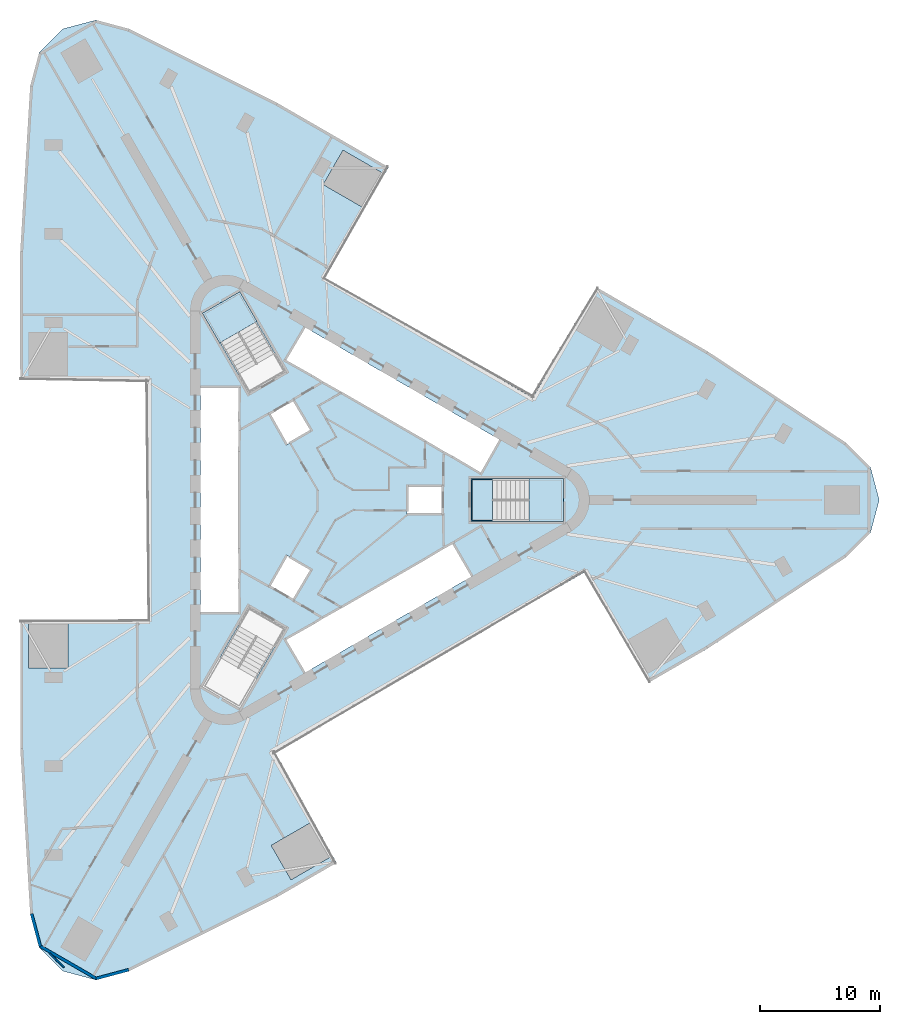
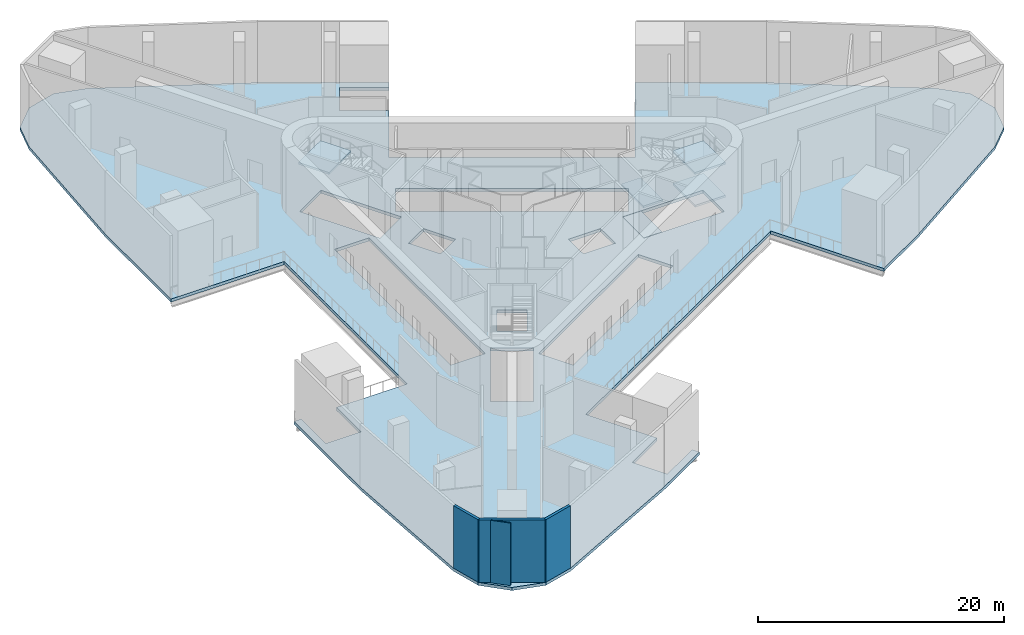
# One storey, part 2 of 11: 6 slabs, 4 walls, 2 elements without a shape of their own.
"""IFC4 building model written with IfcOpenShell, lengths in metres."""

from ifc_helpers import new_model, si_unit, direction, frame, frame_2d, origin, place, context, subcontext, project, spatial, polyline, rectangle, outline, extrude, material, layer, layer_set, type_object, element, aggregate, save


model = new_model("IFC4")

# Units and contexts
model_context = context("Model", 3, precision=1e-05, world=origin(), true_north=direction((0.0, 1.0)))
body_context = subcontext(model_context, "Body", "Model", "MODEL_VIEW")
ifc_project = project(units=[si_unit("LENGTHUNIT", "METRE"), si_unit("AREAUNIT", "SQUARE_METRE"), si_unit("VOLUMEUNIT", "CUBIC_METRE"), si_unit("PLANEANGLEUNIT", "RADIAN"), si_unit("MASSUNIT", "GRAM", prefix="KILO")], contexts=[model_context])

# Site, building, storey
site_placement = place(None, origin())
site = spatial("IfcSite", under=ifc_project, at=site_placement, CompositionType="ELEMENT")
building_placement = place(site_placement, origin())
building = spatial("IfcBuilding", under=site, at=building_placement, Name="Tanit Gate Tower", CompositionType="ELEMENT")
storey_placement = place(building_placement, frame((0.0, 0.0, 9.0)))
storey = spatial("IfcBuildingStorey", under=building, at=storey_placement, Name="L01", CompositionType="ELEMENT", Elevation=9.0)

# Stair, slabs
ifc_material_1 = material(Name="Concrete C40/50", Category="concrete")
stair_type = type_object("IfcStairType", Name="INT-STAIR-EXIT", PredefinedType="HALF_TURN_STAIR", material=ifc_material_1)
stair_1_placement = place(storey_placement, origin())
stair_1 = element("IfcStair", 1, at=stair_1_placement, inside=storey, type_object=stair_type, Name="L01 STAIR S1", PredefinedType="HALF_TURN_STAIR")
ifc_material_2 = material(Name="Concrete C40/50", Category="concrete")
ifc_layer_1 = layer(ifc_material_2, 0.199951171875)
ifc_layer_set_1 = layer_set([ifc_layer_1], Name="INT-STAIR-LANDING")
slab_type_1 = type_object("IfcSlabType", Name="INT-STAIR-LANDING", PredefinedType="LANDING", material=ifc_layer_set_1)
slab_1_placement = place(storey_placement, frame((0.0, 0.0, 1.425048828125)))
slab_1 = element("IfcSlab", 2, at=slab_1_placement, type_object=slab_type_1, Name="S1 landing 1", PredefinedType="LANDING", context=body_context, shape_type="SweptSolid", body=[
    extrude(outline(polyline([(16.135986328125, -1.800048828125), (19.0, -1.800048828125), (19.0, 1.800048828125), (16.135986328125, 1.800048828125), (16.135986328125, -1.800048828125)])), origin(), (0.0, 0.0, 1.0), 0.199951171875),
])
slab_2_placement = place(storey_placement, frame((0.0, 0.0, 3.050048828125)))
slab_2 = element("IfcSlab", 3, at=slab_2_placement, type_object=slab_type_1, Name="S1 landing 2", PredefinedType="LANDING", context=body_context, shape_type="SweptSolid", body=[
    extrude(outline(polyline([(11.300048828125, -1.800048828125), (13.10498046875, -1.800048828125), (13.10498046875, 1.800048828125), (11.300048828125, 1.800048828125), (11.300048828125, -1.800048828125)])), origin(), (0.0, 0.0, 1.0), 0.199951171875),
])
slab_3_placement = place(storey_placement, frame((0.0, 0.0, 4.675048828125)))
slab_3 = element("IfcSlab", 4, at=slab_3_placement, type_object=slab_type_1, Name="S1 landing 3", PredefinedType="LANDING", context=body_context, shape_type="SweptSolid", body=[
    extrude(outline(polyline([(16.135986328125, -1.800048828125), (19.0, -1.800048828125), (19.0, 1.800048828125), (16.135986328125, 1.800048828125), (16.135986328125, -1.800048828125)])), origin(), (0.0, 0.0, 1.0), 0.199951171875),
])
aggregate(stair_1, [slab_1, slab_2, slab_3])

# Slab
slab_4_placement = place(storey_placement, frame((0.0, 0.0, -0.199951171875)))
element("IfcSlab", 5, at=slab_4_placement, inside=storey, type_object=slab_type_1, Name="S1 floor landing", PredefinedType="LANDING", context=body_context, shape_type="SweptSolid", body=[
    extrude(outline(polyline([(11.3798828125, -1.719970703125), (13.10498046875, -1.719970703125), (13.10498046875, 1.719970703125), (11.3798828125, 1.719970703125), (11.3798828125, -1.719970703125)])), origin(), (0.0, 0.0, 1.0), 0.199951171875),
])

# Stair, slab
stair_2_placement = place(storey_placement, origin())
stair_2 = element("IfcStair", 6, at=stair_2_placement, inside=storey, type_object=stair_type, Name="L01 STAIR S2", PredefinedType="HALF_TURN_STAIR")
slab_5_placement = place(storey_placement, frame((0.0, 0.0, 4.675048828125)))
slab_5 = element("IfcSlab", 7, at=slab_5_placement, type_object=slab_type_1, Name="S2 landing 3", PredefinedType="LANDING", context=body_context, shape_type="SweptSolid", body=[
    extrude(outline(polyline([(-6.5078125, 14.871826171875), (-7.941162109375, 17.3544921875), (-11.058837890625, 15.554443359375), (-9.62548828125, 13.07177734375), (-6.5078125, 14.871826171875)])), origin(), (0.0, 0.0, 1.0), 0.199951171875),
])
aggregate(stair_2, [slab_5])

# Slab
ifc_material_3 = material(Name="Concrete C35/45", Category="concrete")
ifc_layer_2 = layer(ifc_material_3, 0.300048828125)
ifc_layer_set_2 = layer_set([ifc_layer_2], Name="PODIUM FLOOR SLAB 300 C35/45")
slab_type_2 = type_object("IfcSlabType", Name="PODIUM FLOOR SLAB 300 C35/45", PredefinedType="FLOOR", material=ifc_layer_set_2)
slab_6_placement = place(storey_placement, frame((0.0, 0.0, -0.300048828125)))
element("IfcSlab", 8, at=slab_6_placement, inside=storey, type_object=slab_type_2, Name="FLOOR SLAB L01", PredefinedType="FLOOR", context=body_context, shape_type="SweptSolid", body=[
    extrude(outline(polyline([(42.5634765625, 4.75927734375), (44.574951171875, 2.747802734375), (45.311279296875, 0.0), (44.574951171875, -2.747802734375), (42.5634765625, -4.75927734375), (31.030517578125, -12.368896484375), (26.10400390625, -15.213623046875), (20.790283203125, -6.010009765625), (-5.1904296875, -21.010009765625), (-1.86376953125, -26.77197265625), (-5.327880859375, -28.77197265625), (-3.677734375, -31.6298828125), (-0.213623046875, -29.6298828125), (0.124267578125, -30.21533203125), (-4.80224609375, -33.06005859375), (-17.16015625, -39.24072265625), (-19.907958984375, -39.97705078125), (-22.655517578125, -39.24072265625), (-24.6669921875, -37.229248046875), (-25.4033203125, -34.4814453125), (-26.22705078125, -20.68896484375), (-26.227783203125, -10.0), (-25.553466796875, -10.0), (-25.553466796875, -14.0), (-22.25341796875, -14.0), (-22.25341796875, -10.0), (-15.60009765625, -10.0), (-15.60009765625, 10.0), (-26.22900390625, 10.0), (-26.229736328125, 20.68896484375), (-25.4033203125, 34.4814453125), (-24.6669921875, 37.229248046875), (-22.655517578125, 39.24072265625), (-19.907958984375, 39.97705078125), (-17.16015625, 39.24072265625), (-4.8037109375, 33.0576171875), (4.45361328125, 27.7138671875), (4.116455078125, 27.1298828125), (0.65234375, 29.1298828125), (-0.99755859375, 26.27197265625), (2.466552734375, 24.27197265625), (-0.8603515625, 18.510009765625), (16.460205078125, 8.510009765625), (21.77490234375, 17.715087890625), (31.031982421875, 12.371337890625), (42.5634765625, 4.75927734375)]), holes=[polyline([(18.929931640625, 1.72998046875), (18.929931640625, -1.72998046875), (11.3701171875, -1.72998046875), (11.3701171875, 1.72998046875), (18.929931640625, 1.72998046875)]), polyline([(-4.208984375, 11.60986328125), (-2.583984375, 14.424560546875), (13.783935546875, 4.974609375), (12.158935546875, 2.159912109375), (-4.208984375, 11.60986328125)]), polyline([(-4.208984375, -11.60986328125), (9.82080078125, -3.510009765625), (11.44580078125, -6.324462890625), (-2.583984375, -14.424560546875), (-4.208984375, -11.60986328125)]), polyline([(9.0, 1.199951171875), (9.0, -1.199951171875), (6.0, -1.199951171875), (6.0, 1.199951171875), (9.0, 1.199951171875)]), polyline([(-5.539306640625, 7.194091796875), (-3.460693359375, 8.394287109375), (-1.960693359375, 5.796142578125), (-4.039306640625, 4.59619140625), (-5.539306640625, 7.194091796875)]), polyline([(-3.460693359375, -8.394287109375), (-5.539306640625, -7.194091796875), (-4.039306640625, -4.59619140625), (-1.960693359375, -5.796142578125), (-3.460693359375, -8.394287109375)]), polyline([(-7.18310546875, 8.981689453125), (-10.963134765625, 15.52880859375), (-7.966796875, 17.2587890625), (-4.186767578125, 10.711669921875), (-7.18310546875, 8.981689453125)]), polyline([(-4.186767578125, -10.711669921875), (-7.966796875, -17.2587890625), (-10.963134765625, -15.52880859375), (-7.18310546875, -8.981689453125), (-4.186767578125, -10.711669921875)]), polyline([(-11.199951171875, -9.449951171875), (-11.199951171875, 9.449951171875), (-7.949951171875, 9.449951171875), (-7.949951171875, -9.449951171875), (-11.199951171875, -9.449951171875)])]), origin(), (0.0, 0.0, 1.0), 0.300048828125),
])

# Walls
ifc_material_4 = material(Name="Concrete C30/37 with bronze anodised aluminium cladding", Category="concrete")
ifc_layer_3 = layer(ifc_material_4, 0.239990234375)
ifc_layer_set_3 = layer_set([ifc_layer_3], Name="Facade wall bronze clad 240")
wall_type_1 = type_object("IfcWallType", Name="Facade wall bronze clad 240", PredefinedType="SOLIDWALL", material=ifc_layer_set_3)
wall_1_placement = place(storey_placement, frame((-25.284423828125, -34.462158203125, 0.0), z_axis=(0.0, 0.0, 1.0), x_axis=(0.258850842196, -0.965917305723, 0.0)))
element("IfcWall", 9, at=wall_1_placement, inside=storey, type_object=wall_type_1, Name="Bronze-clad facade wall L01 SW.arc1", PredefinedType="SOLIDWALL", context=body_context, shape_type="SweptSolid", body=[
    extrude(rectangle(XDim=2.80029296875, YDim=0.239990234375, at=frame_2d((1.400146484375, 0.0))), origin(), (0.0, 0.0, 1.0), 6.199951171875),
])
wall_2_placement = place(storey_placement, frame((-24.5595703125, -37.1669921875, 0.0), z_axis=(0.0, 0.0, 1.0), x_axis=(0.866010734295, -0.500025407441, 0.0)))
element("IfcWall", 10, at=wall_2_placement, inside=storey, type_object=wall_type_1, Name="Bronze-clad facade wall L01 SW.arc2", PredefinedType="SOLIDWALL", context=body_context, shape_type="SweptSolid", body=[
    extrude(rectangle(XDim=5.371337890625, YDim=0.239990234375, at=frame_2d((2.685546875, 0.0))), origin(), (0.0, 0.0, 1.0), 6.199951171875),
])
wall_3_placement = place(storey_placement, frame((-19.907958984375, -39.852783203125, 0.0), z_axis=(0.0, 0.0, 1.0), x_axis=(0.965923146675, 0.25882904535, 0.0)))
element("IfcWall", 11, at=wall_3_placement, inside=storey, type_object=wall_type_1, Name="Bronze-clad facade wall L01 SW.arc3", PredefinedType="SOLIDWALL", context=body_context, shape_type="SweptSolid", body=[
    extrude(rectangle(XDim=2.800537109375, YDim=0.239990234375, at=frame_2d((1.400390625, 0.0))), origin(), (0.0, 0.0, 1.0), 6.199951171875),
])
ifc_material_5 = material(Name="Gypsum board partition")
ifc_layer_4 = layer(ifc_material_5, 0.1201171875)
ifc_layer_set_4 = layer_set([ifc_layer_4], Name="INT-WALL-PARTITION")
wall_type_2 = type_object("IfcWallType", Name="INT-WALL-PARTITION", PredefinedType="PARTITIONING", material=ifc_layer_set_4)
wall_4_placement = place(storey_placement, frame((-23.78515625, -37.752685546875, 0.0), z_axis=(0.0, 0.0, 1.0), x_axis=(0.715638818435, -0.698470530193, 0.0)))
element("IfcWall", 12, at=wall_4_placement, inside=storey, type_object=wall_type_2, Name="Wall Partition W100", PredefinedType="PARTITIONING", context=body_context, shape_type="SweptSolid", body=[
    extrude(rectangle(XDim=1.663818359375, YDim=0.1201171875, at=frame_2d((0.83203125, 0.0))), origin(), (0.0, 0.0, 1.0), 6.199951171875),
])

save(model, "model.ifc")
